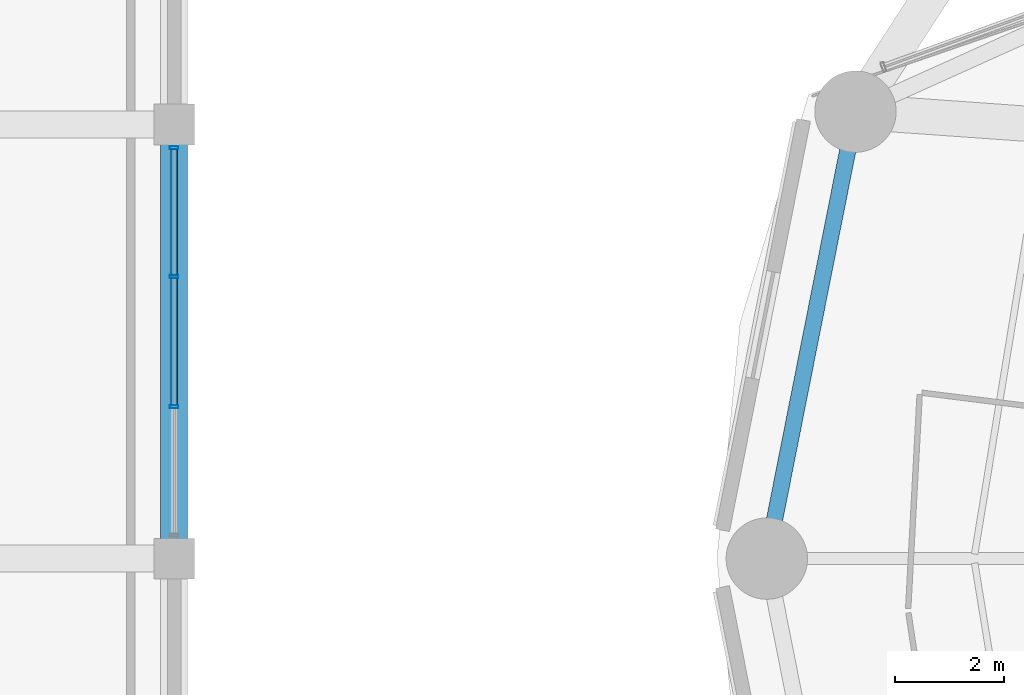
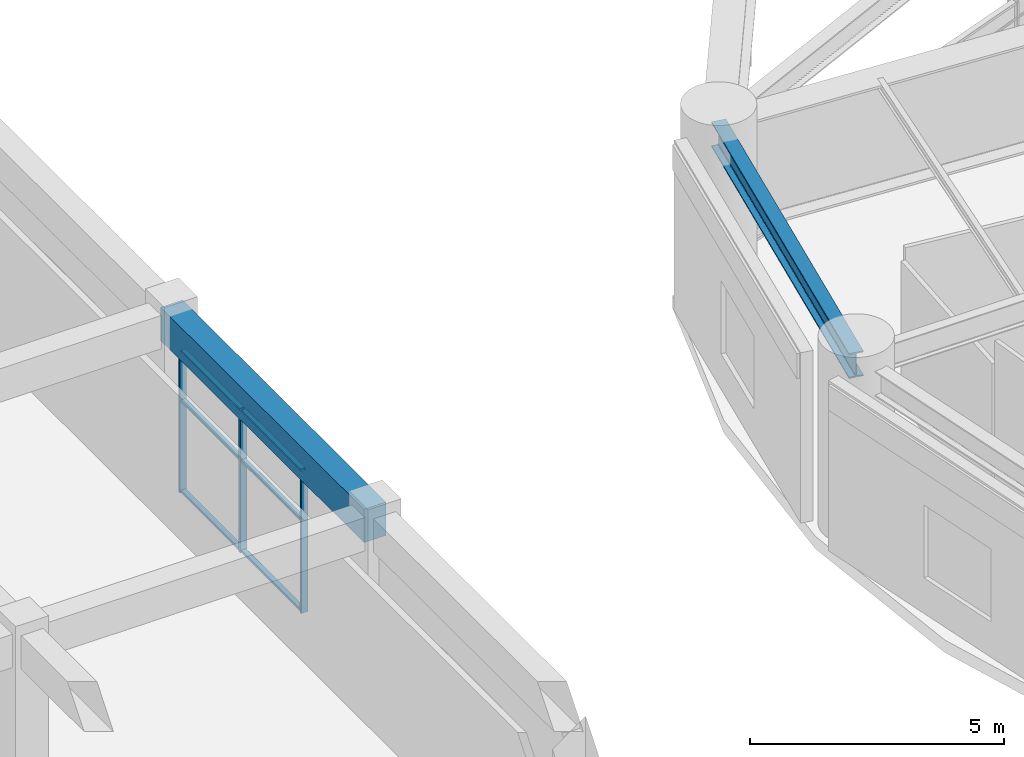
# One storey, part 14 of 53: 9 members, 2 beams, 1 element without a shape of its own.
"""IFC4 building model written with IfcOpenShell, lengths in metres."""

from ifc_helpers import new_model, si_unit, direction, frame, origin, origin_2d, place, context, subcontext, project, spatial, rectangle, hollow_rectangle, i_section, extrude, material, layer, layer_set, material_profile, profile_set, type_object, element, aggregate, save


model = new_model("IFC4")

# Units and contexts
model_context = context("Model", 3, precision=1e-05, world=origin(), true_north=direction((0.0, 1.0)))
body_context = subcontext(model_context, "Body", "Model", "MODEL_VIEW")
ifc_project = project(units=[si_unit("LENGTHUNIT", "METRE"), si_unit("AREAUNIT", "SQUARE_METRE"), si_unit("VOLUMEUNIT", "CUBIC_METRE"), si_unit("PLANEANGLEUNIT", "RADIAN"), si_unit("MASSUNIT", "GRAM", prefix="KILO")], contexts=[model_context])

# Site, building, storey
site_placement = place(None, origin())
site = spatial("IfcSite", under=ifc_project, at=site_placement, CompositionType="ELEMENT")
building_placement = place(site_placement, origin())
building = spatial("IfcBuilding", under=site, at=building_placement, Name="Kelanora Arch Commons", CompositionType="ELEMENT")
storey_placement = place(building_placement, frame((0.0, 0.0, 9.0)))
storey = spatial("IfcBuildingStorey", under=building, at=storey_placement, Name="L02", CompositionType="ELEMENT", Elevation=9.0)

# Beams
ifc_material_1 = material(Name="Concrete C40/50", Category="concrete")
ifc_material_profile_1 = material_profile(ifc_material_1, rectangle(XDim=0.5, YDim=0.800048828125, at=origin_2d()), Name="RCB500x800")
ifc_profile_set_1 = profile_set([ifc_material_profile_1], Name="Concrete C40/50")
beam_type_1 = type_object("IfcBeamType", Name="BM-MKT-RC1", PredefinedType="BEAM", material=ifc_profile_set_1)
beam_1_placement = place(storey_placement, frame((36.0, 58.0, 3.840087890625), z_axis=(0.0, 1.0, 0.0), x_axis=(-1.0, 0.0, 0.0)))
element("IfcBeam", 1, at=beam_1_placement, inside=storey, type_object=beam_type_1, Name="Market/Basement Frame Beam 091 L02", PredefinedType="BEAM", context=body_context, shape_type="SweptSolid", body=[
    extrude(rectangle(XDim=0.5, YDim=0.800048828125, at=origin_2d()), origin(), (0.0, 0.0, 1.0), 8.0),
])
ifc_material_2 = material(Name="Steel S355", Category="steel")
ifc_material_profile_2 = material_profile(ifc_material_2, i_section(OverallWidth=0.300048828125, OverallDepth=0.60009765625, WebThickness=0.015380859375, FlangeThickness=0.030029296875, FilletRadius=0.027099609375, at=origin_2d()), Name="HEB600")
ifc_profile_set_2 = profile_set([ifc_material_profile_2], Name="Steel S355")
beam_type_2 = type_object("IfcBeamType", Name="BM-SPN-Z1", PredefinedType="SPANDREL", material=ifc_profile_set_2)
beam_2_placement = place(storey_placement, frame((48.552978515625, 66.23583984375, 3.800048828125), z_axis=(-0.194499827256, -0.980902552345, 0.0), x_axis=(0.980902552345, -0.194499827256, 0.0)))
element("IfcBeam", 2, at=beam_2_placement, inside=storey, type_object=beam_type_2, Name="Perimeter Spandrel Beam BS-16 L02", PredefinedType="SPANDREL", context=body_context, shape_type="SweptSolid", body=[
    extrude(i_section(OverallWidth=0.300048828125, OverallDepth=0.60009765625, WebThickness=0.015380859375, FlangeThickness=0.030029296875, FilletRadius=0.027099609375, at=origin_2d()), origin(), (0.0, 0.0, 1.0), 8.396240234375),
])

# Curtain wall, members
ifc_material_3 = material(Name="Terracotta ceramic-fritted low-E glass and aluminium", Category="masonry")
ifc_layer = layer(ifc_material_3, 0.16796875)
ifc_layer_set = layer_set([ifc_layer], Name="Terracotta ceramic-fritted low-E glass and aluminium")
curtain_wall_type = type_object("IfcCurtainWallType", Name="CW-SYS-07", PredefinedType="NOTDEFINED", material=ifc_layer_set)
curtain_wall_placement = place(storey_placement, origin())
curtain_wall = element("IfcCurtainWall", 3, at=curtain_wall_placement, inside=storey, type_object=curtain_wall_type, Name="Market Hall Arcade Curtain Wall L02-27", PredefinedType="NOTDEFINED")
ifc_material_4 = material(Name="Powder-coated aluminium terracotta", Category="masonry")
ifc_material_profile_3 = material_profile(ifc_material_4, hollow_rectangle(XDim=0.159912109375, YDim=0.06005859375, WallThickness=0.0048828125, InnerFilletRadius=0.0048828125, OuterFilletRadius=0.010009765625, at=origin_2d()), Name="CWM160x60")
ifc_profile_set_3 = profile_set([ifc_material_profile_3], Name="Powder-coated aluminium terracotta")
member_type_1 = type_object("IfcMemberType", Name="CWM-STD", PredefinedType="MULLION", material=ifc_profile_set_3)
member_1_placement = place(storey_placement, frame((36.0, 60.800048828125, 0.0), z_axis=(0.0, 0.0, 1.0), x_axis=(-1.0, 0.0, 0.0)))
member_1 = element("IfcMember", 4, at=member_1_placement, type_object=member_type_1, Name="CW-07 mullion 2", PredefinedType="MULLION", context=body_context, shape_type="SweptSolid", body=[
    extrude(hollow_rectangle(XDim=0.159912109375, YDim=0.06005859375, WallThickness=0.0048828125, InnerFilletRadius=0.0048828125, OuterFilletRadius=0.010009765625, at=origin_2d()), origin(), (0.0, 0.0, 1.0), 3.419921875),
])
member_2_placement = place(storey_placement, frame((36.0, 63.199951171875, 0.0), z_axis=(0.0, 0.0, 1.0), x_axis=(-1.0, 0.0, 0.0)))
member_2 = element("IfcMember", 5, at=member_2_placement, type_object=member_type_1, Name="CW-07 mullion 3", PredefinedType="MULLION", context=body_context, shape_type="SweptSolid", body=[
    extrude(hollow_rectangle(XDim=0.159912109375, YDim=0.06005859375, WallThickness=0.0048828125, InnerFilletRadius=0.0048828125, OuterFilletRadius=0.010009765625, at=origin_2d()), origin(), (0.0, 0.0, 1.0), 3.419921875),
])
member_3_placement = place(storey_placement, frame((36.0, 65.570068359375, 0.0), z_axis=(0.0, 0.0, 1.0), x_axis=(-1.0, 0.0, 0.0)))
member_3 = element("IfcMember", 6, at=member_3_placement, type_object=member_type_1, Name="CW-07 mullion 4", PredefinedType="MULLION", context=body_context, shape_type="SweptSolid", body=[
    extrude(hollow_rectangle(XDim=0.159912109375, YDim=0.06005859375, WallThickness=0.0048828125, InnerFilletRadius=0.0048828125, OuterFilletRadius=0.010009765625, at=origin_2d()), origin(), (0.0, 0.0, 1.0), 3.419921875),
])
ifc_material_profile_4 = material_profile(ifc_material_4, hollow_rectangle(XDim=0.1201171875, YDim=0.06005859375, WallThickness=0.0048828125, InnerFilletRadius=0.0048828125, OuterFilletRadius=0.010009765625, at=origin_2d()), Name="CWT120x60")
ifc_profile_set_4 = profile_set([ifc_material_profile_4], Name="Powder-coated aluminium terracotta")
member_type_2 = type_object("IfcMemberType", Name="CWT-STD", PredefinedType="USERDEFINED", material=ifc_profile_set_4)
member_4_placement = place(storey_placement, frame((36.0, 60.830078125, 0.030029296875), z_axis=(0.0, 1.0, 0.0), x_axis=(-1.0, 0.0, 0.0)))
member_4 = element("IfcMember", 7, at=member_4_placement, type_object=member_type_2, Name="CW-07 transom 2.1", ObjectType="TRANSOM", PredefinedType="USERDEFINED", context=body_context, shape_type="SweptSolid", body=[
    extrude(hollow_rectangle(XDim=0.1201171875, YDim=0.06005859375, WallThickness=0.0048828125, InnerFilletRadius=0.0048828125, OuterFilletRadius=0.010009765625, at=origin_2d()), origin(), (0.0, 0.0, 1.0), 2.33984375),
])
member_5_placement = place(storey_placement, frame((36.0, 60.830078125, 2.199951171875), z_axis=(0.0, 1.0, 0.0), x_axis=(-1.0, 0.0, 0.0)))
member_5 = element("IfcMember", 8, at=member_5_placement, type_object=member_type_2, Name="CW-07 transom 2.2", ObjectType="TRANSOM", PredefinedType="USERDEFINED", context=body_context, shape_type="SweptSolid", body=[
    extrude(hollow_rectangle(XDim=0.1201171875, YDim=0.06005859375, WallThickness=0.0048828125, InnerFilletRadius=0.0048828125, OuterFilletRadius=0.010009765625, at=origin_2d()), origin(), (0.0, 0.0, 1.0), 2.33984375),
])
member_6_placement = place(storey_placement, frame((36.0, 60.830078125, 3.389892578125), z_axis=(0.0, 1.0, 0.0), x_axis=(-1.0, 0.0, 0.0)))
member_6 = element("IfcMember", 9, at=member_6_placement, type_object=member_type_2, Name="CW-07 transom 2.3", ObjectType="TRANSOM", PredefinedType="USERDEFINED", context=body_context, shape_type="SweptSolid", body=[
    extrude(hollow_rectangle(XDim=0.1201171875, YDim=0.06005859375, WallThickness=0.0048828125, InnerFilletRadius=0.0048828125, OuterFilletRadius=0.010009765625, at=origin_2d()), origin(), (0.0, 0.0, 1.0), 2.33984375),
])
member_7_placement = place(storey_placement, frame((36.0, 63.22998046875, 0.030029296875), z_axis=(0.0, 1.0, 0.0), x_axis=(-1.0, 0.0, 0.0)))
member_7 = element("IfcMember", 10, at=member_7_placement, type_object=member_type_2, Name="CW-07 transom 3.1", ObjectType="TRANSOM", PredefinedType="USERDEFINED", context=body_context, shape_type="SweptSolid", body=[
    extrude(hollow_rectangle(XDim=0.1201171875, YDim=0.06005859375, WallThickness=0.0048828125, InnerFilletRadius=0.0048828125, OuterFilletRadius=0.010009765625, at=origin_2d()), origin(), (0.0, 0.0, 1.0), 2.31005859375),
])
member_8_placement = place(storey_placement, frame((36.0, 63.22998046875, 2.199951171875), z_axis=(0.0, 1.0, 0.0), x_axis=(-1.0, 0.0, 0.0)))
member_8 = element("IfcMember", 11, at=member_8_placement, type_object=member_type_2, Name="CW-07 transom 3.2", ObjectType="TRANSOM", PredefinedType="USERDEFINED", context=body_context, shape_type="SweptSolid", body=[
    extrude(hollow_rectangle(XDim=0.1201171875, YDim=0.06005859375, WallThickness=0.0048828125, InnerFilletRadius=0.0048828125, OuterFilletRadius=0.010009765625, at=origin_2d()), origin(), (0.0, 0.0, 1.0), 2.31005859375),
])
member_9_placement = place(storey_placement, frame((36.0, 63.22998046875, 3.389892578125), z_axis=(0.0, 1.0, 0.0), x_axis=(-1.0, 0.0, 0.0)))
member_9 = element("IfcMember", 12, at=member_9_placement, type_object=member_type_2, Name="CW-07 transom 3.3", ObjectType="TRANSOM", PredefinedType="USERDEFINED", context=body_context, shape_type="SweptSolid", body=[
    extrude(hollow_rectangle(XDim=0.1201171875, YDim=0.06005859375, WallThickness=0.0048828125, InnerFilletRadius=0.0048828125, OuterFilletRadius=0.010009765625, at=origin_2d()), origin(), (0.0, 0.0, 1.0), 2.31005859375),
])
aggregate(curtain_wall, [member_1, member_2, member_3, member_4, member_5, member_6, member_7, member_8, member_9])

save(model, "model.ifc")
